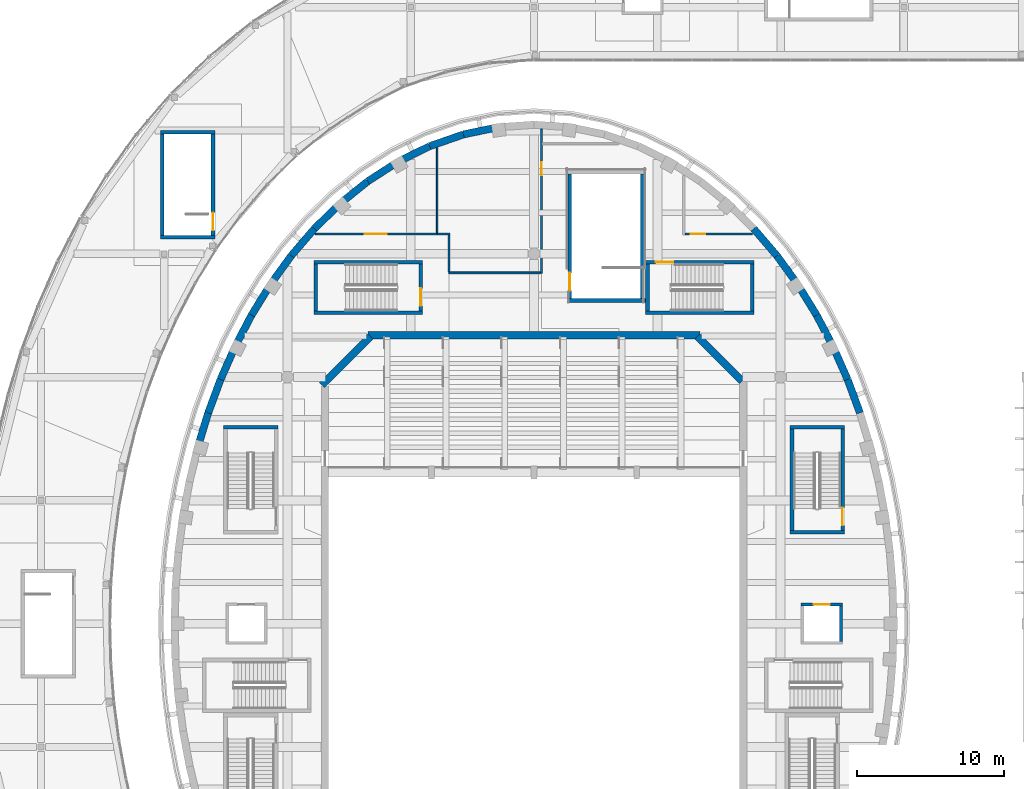
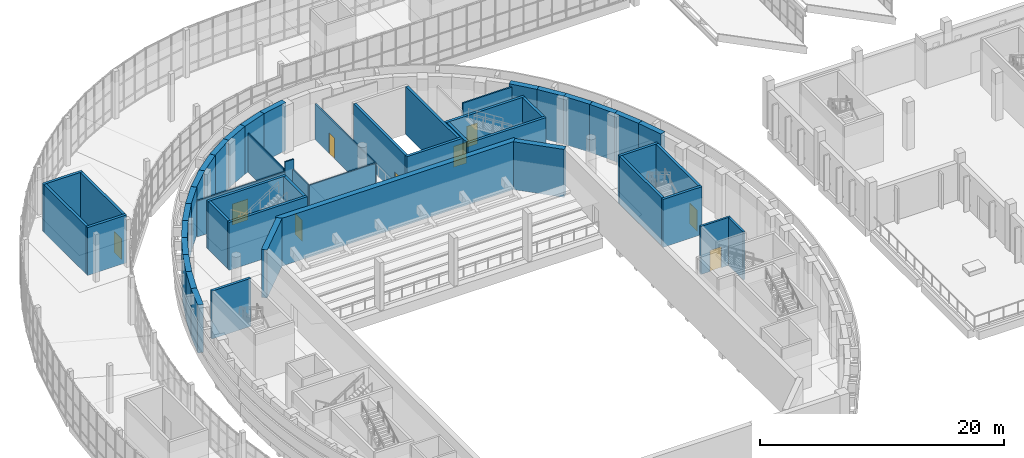
# One storey, part 60 of 103: 51 walls, 9 doors, 9 openings.
"""IFC4 building model written with IfcOpenShell, lengths in metres."""

from ifc_helpers import new_model, si_unit, direction, frame, frame_2d, origin, place, context, subcontext, project, spatial, rectangle, extrude, material, layer, layer_set, type_object, element, fill, save


model = new_model("IFC4")

# Units and contexts
model_context = context("Model", 3, precision=1e-05, world=origin(), true_north=direction((0.0, 1.0)))
body_context = subcontext(model_context, "Body", "Model", "MODEL_VIEW")
ifc_project = project(units=[si_unit("LENGTHUNIT", "METRE"), si_unit("AREAUNIT", "SQUARE_METRE"), si_unit("VOLUMEUNIT", "CUBIC_METRE"), si_unit("PLANEANGLEUNIT", "RADIAN"), si_unit("MASSUNIT", "GRAM", prefix="KILO")], contexts=[model_context])

# Site, building, storey
site_placement = place(None, origin())
site = spatial("IfcSite", under=ifc_project, at=site_placement, CompositionType="ELEMENT")
building_placement = place(site_placement, origin())
building = spatial("IfcBuilding", under=site, at=building_placement, Name="Larchfold Concert Hall", CompositionType="ELEMENT")
storey_placement = place(building_placement, frame((0.0, 0.0, 9.60009765625)))
storey = spatial("IfcBuildingStorey", under=building, at=storey_placement, Name="L02", CompositionType="ELEMENT", Elevation=9.60009765625)

# Wall, opening, door
ifc_material_1 = material(Name="Plasterboard partition on steel studs", Category="steel")
ifc_layer_1 = layer(ifc_material_1, 0.125)
ifc_layer_set_1 = layer_set([ifc_layer_1], Name="Plasterboard partition on steel studs")
wall_type_1 = type_object("IfcWallType", Name="Corridor partition 125 EI 60", PredefinedType="PARTITIONING", material=ifc_layer_set_1)
wall_1_placement = place(storey_placement, frame((43.10107421875, 108.47998046875, 0.0), z_axis=(0.0, 0.0, 1.0), x_axis=(0.0, 1.0, 0.0)))
wall_1 = element("IfcWall", 1, at=wall_1_placement, inside=storey, type_object=wall_type_1, Name="Partition IW0001", PredefinedType="PARTITIONING", context=body_context, shape_type="SweptSolid", body=[
    extrude(rectangle(XDim=9.830078125, YDim=0.125, at=frame_2d((4.9150390625, 0.0))), origin(), (0.0, 0.0, 1.0), 3.599853515625),
])
opening_1_placement = place(wall_1_placement, frame((6.66796875, 0.0, 0.0)))
opening_1 = element("IfcOpeningElement", 2, at=opening_1_placement, cuts=wall_1, Name="Opening D-L02-104", PredefinedType="OPENING", context=body_context, shape_type="SweptSolid", body=[
    extrude(rectangle(XDim=0.89990234375, YDim=2.10009765625, at=frame_2d((0.449951171875, 1.050048828125))), frame((0.0, 0.072509765625, 0.0), z_axis=(0.0, -1.0, 0.0), x_axis=(1.0, 0.0, 0.0)), (0.0, 0.0, 1.0), 0.14501953125),
])
ifc_material_2 = material(Name="Timber door leaf", Category="wood")
door_type_1 = type_object("IfcDoorType", Name="Public toilet door 900 x 2100 FD30S", OperationType="SINGLE_SWING_LEFT", PredefinedType="DOOR", material=ifc_material_2)
door_1_placement = place(opening_1_placement, origin())
door_1 = element("IfcDoor", 3, at=door_1_placement, inside=storey, type_object=door_type_1, Name="Door D-L02-104", OperationType="SINGLE_SWING_RIGHT", OverallHeight=2.10009765625, OverallWidth=0.89990234375, PredefinedType="DOOR", context=body_context, shape_type="SweptSolid", body=[
    extrude(rectangle(XDim=0.89990234375, YDim=2.10009765625, at=frame_2d((0.449951171875, 1.050048828125))), frame((0.0, 0.02490234375, 0.0), z_axis=(0.0, -1.0, 0.0), x_axis=(1.0, 0.0, 0.0)), (0.0, 0.0, 1.0), 0.050048828125),
])
fill(opening_1, door_1)

# Wall
wall_2_placement = place(storey_placement, frame((36.800048828125, 108.5, 0.0), z_axis=(0.0, 0.0, 1.0), x_axis=(1.0, 0.0, 0.0)))
element("IfcWall", 4, at=wall_2_placement, inside=storey, type_object=wall_type_1, Name="Partition IW0005", PredefinedType="PARTITIONING", context=body_context, shape_type="SweptSolid", body=[
    extrude(rectangle(XDim=6.23486328125, YDim=0.125, at=frame_2d((3.117431640625, 0.0))), origin(), (0.0, 0.0, 1.0), 3.599853515625),
])

# Wall, opening, door
wall_3_placement = place(storey_placement, frame((27.69091796875, 111.14892578125, 0.0), z_axis=(0.0, 0.0, 1.0), x_axis=(1.0, 0.0, 0.0)))
wall_3 = element("IfcWall", 5, at=wall_3_placement, inside=storey, type_object=wall_type_1, Name="Partition IW0006", PredefinedType="PARTITIONING", context=body_context, shape_type="SweptSolid", body=[
    extrude(rectangle(XDim=8.3291015625, YDim=0.125, at=frame_2d((4.16455078125, 0.0))), origin(), (0.0, 0.0, 1.0), 3.599853515625),
])
opening_2_placement = place(wall_3_placement, frame((3.369873046875, 0.0, 0.0)))
opening_2 = element("IfcOpeningElement", 6, at=opening_2_placement, cuts=wall_3, Name="Opening D-L02-103", PredefinedType="OPENING", context=body_context, shape_type="SweptSolid", body=[
    extrude(rectangle(XDim=1.5, YDim=2.10009765625, at=frame_2d((0.75, 1.050048828125))), frame((0.0, 0.072509765625, 0.0), z_axis=(0.0, -1.0, 0.0), x_axis=(1.0, 0.0, 0.0)), (0.0, 0.0, 1.0), 0.14501953125),
])
ifc_material_3 = material(Name="Timber door leaf", Category="wood")
door_type_2 = type_object("IfcDoorType", Name="Cafe, shop and cloakroom door pair 1500 x 2100 FD30S", OperationType="SINGLE_SWING_LEFT", PredefinedType="DOOR", material=ifc_material_3)
door_2_placement = place(opening_2_placement, origin())
door_2 = element("IfcDoor", 7, at=door_2_placement, inside=storey, type_object=door_type_2, Name="Door D-L02-103", OperationType="DOUBLE_DOOR_SINGLE_SWING", OverallHeight=2.10009765625, OverallWidth=1.5, PredefinedType="DOOR", context=body_context, shape_type="SweptSolid", body=[
    extrude(rectangle(XDim=1.5, YDim=2.10009765625, at=frame_2d((0.75, 1.050048828125))), frame((0.0, 0.02490234375, 0.0), z_axis=(0.0, -1.0, 0.0), x_axis=(1.0, 0.0, 0.0)), (0.0, 0.0, 1.0), 0.050048828125),
])
fill(opening_2, door_2)

# Walls
wall_4_placement = place(storey_placement, frame((36.02099609375, 111.14892578125, 0.0), z_axis=(0.0, 0.0, 1.0), x_axis=(1.0, 0.0, 0.0)))
element("IfcWall", 8, at=wall_4_placement, inside=storey, type_object=wall_type_1, Name="Partition IW0007", PredefinedType="PARTITIONING", context=body_context, shape_type="SweptSolid", body=[
    extrude(rectangle(XDim=0.840576171875, YDim=0.125, at=frame_2d((0.42041015625, 0.0))), origin(), (0.0, 0.0, 1.0), 4.599853515625),
])
wall_5_placement = place(storey_placement, frame((36.799072265625, 111.08642578125, 0.0), z_axis=(0.0, 0.0, 1.0), x_axis=(0.0, -1.0, 0.0)))
element("IfcWall", 9, at=wall_5_placement, inside=storey, type_object=wall_type_1, Name="Partition IW0008", PredefinedType="PARTITIONING", context=body_context, shape_type="SweptSolid", body=[
    extrude(rectangle(XDim=2.521484375, YDim=0.125, at=frame_2d((1.2607421875, 0.0))), origin(), (0.0, 0.0, 1.0), 3.599853515625),
])

# Wall, opening, door
ifc_material_4 = material(Name="Plasterboard partition on steel studs", Category="steel")
ifc_layer_2 = layer(ifc_material_4, 0.14990234375)
ifc_layer_set_2 = layer_set([ifc_layer_2], Name="Plasterboard partition on steel studs")
wall_type_2 = type_object("IfcWallType", Name="Shaft and plant partition 150 EI 120", PredefinedType="PARTITIONING", material=ifc_layer_set_2)
wall_6_placement = place(storey_placement, frame((52.87890625, 111.15087890625, 0.0), z_axis=(0.0, 0.0, 1.0), x_axis=(0.999999910644, -0.000422743568, 0.0)))
wall_6 = element("IfcWall", 10, at=wall_6_placement, inside=storey, type_object=wall_type_2, Name="Partition IW0004", PredefinedType="PARTITIONING", context=body_context, shape_type="SweptSolid", body=[
    extrude(rectangle(XDim=4.6201171875, YDim=0.14990234375, at=frame_2d((2.31005859375, 0.0))), origin(), (0.0, 0.0, 1.0), 4.599853515625),
])
opening_3_placement = place(wall_6_placement, frame((0.396728515625, 0.0, 0.0)))
opening_3 = element("IfcOpeningElement", 11, at=opening_3_placement, cuts=wall_6, Name="Opening D-L02-105", PredefinedType="OPENING", context=body_context, shape_type="SweptSolid", body=[
    extrude(rectangle(XDim=1.0, YDim=2.10009765625, at=frame_2d((0.5, 1.050048828125))), frame((0.0, 0.0849609375, 0.0), z_axis=(0.0, -1.0, 0.0), x_axis=(1.0, 0.0, 0.0)), (0.0, 0.0, 1.0), 0.169921875),
])
ifc_material_5 = material(Name="Timber door leaf", Category="wood")
door_type_3 = type_object("IfcDoorType", Name="Store door 1000 x 2100 FD60", OperationType="SINGLE_SWING_LEFT", PredefinedType="DOOR", material=ifc_material_5)
door_3_placement = place(opening_3_placement, origin())
door_3 = element("IfcDoor", 12, at=door_3_placement, inside=storey, type_object=door_type_3, Name="Door D-L02-105", OperationType="SINGLE_SWING_LEFT", OverallHeight=2.10009765625, OverallWidth=1.0, PredefinedType="DOOR", context=body_context, shape_type="SweptSolid", body=[
    extrude(rectangle(XDim=1.0, YDim=2.10009765625, at=frame_2d((0.5, 1.050048828125))), frame((0.0, 0.02490234375, 0.0), z_axis=(0.0, -1.0, 0.0), x_axis=(1.0, 0.0, 0.0)), (0.0, 0.0, 1.0), 0.050048828125),
])
fill(opening_3, door_3)

# Wall
ifc_material_6 = material(Name="Plasterboard partition on steel studs", Category="steel")
ifc_layer_3 = layer(ifc_material_6, 0.10009765625)
ifc_layer_set_3 = layer_set([ifc_layer_3], Name="Plasterboard partition on steel studs")
wall_type_3 = type_object("IfcWallType", Name="Stud partition 100", PredefinedType="PARTITIONING", material=ifc_layer_set_3)
wall_7_placement = place(storey_placement, frame((36.0, 117.0400390625, 0.0), z_axis=(0.0, 0.0, 1.0), x_axis=(0.0, -1.0, 0.0)))
element("IfcWall", 13, at=wall_7_placement, inside=storey, type_object=wall_type_3, Name="Partition IW0009", PredefinedType="PARTITIONING", context=body_context, shape_type="SweptSolid", body=[
    extrude(rectangle(XDim=5.824951171875, YDim=0.10009765625, at=frame_2d((2.91259765625, 0.0))), origin(), (0.0, 0.0, 1.0), 3.89990234375),
])

# Wall, opening, door
ifc_material_7 = material(Name="Concrete C40/50", Category="concrete")
ifc_layer_4 = layer(ifc_material_7, 0.199951171875)
ifc_layer_set_4 = layer_set([ifc_layer_4], Name="Concrete C40/50")
wall_type_4 = type_object("IfcWallType", Name="Wall RC 200 lift shaft", PredefinedType="SOLIDWALL", material=ifc_layer_set_4)
wall_8_placement = place(storey_placement, frame((60.800048828125, 85.89990234375, 0.0), z_axis=(0.0, 0.0, 1.0), x_axis=(1.0, 0.0, 0.0)))
wall_8 = element("IfcWall", 14, at=wall_8_placement, inside=storey, type_object=wall_type_4, Name="Wall W0140", PredefinedType="SOLIDWALL", context=body_context, shape_type="SweptSolid", body=[
    extrude(rectangle(XDim=2.800048828125, YDim=0.199951171875, at=frame_2d((1.39990234375, 0.0))), origin(), (0.0, 0.0, 1.0), 4.7998046875),
])
opening_4_placement = place(wall_8_placement, frame((0.85009765625, 0.0, 0.0)))
opening_4 = element("IfcOpeningElement", 15, at=opening_4_placement, cuts=wall_8, Name="Opening LD-LF03", PredefinedType="OPENING", context=body_context, shape_type="SweptSolid", body=[
    extrude(rectangle(XDim=1.10009765625, YDim=2.10009765625, at=frame_2d((0.550048828125, 1.050048828125))), frame((0.0, 0.10986328125, 0.0), z_axis=(0.0, -1.0, 0.0), x_axis=(1.0, 0.0, 0.0)), (0.0, 0.0, 1.0), 0.219970703125),
])
ifc_material_8 = material(Name="Stainless steel sliding leaves", Category="steel")
door_type_4 = type_object("IfcDoorType", Name="Lift landing door sliding 1100 x 2100", OperationType="SLIDING_TO_LEFT", PredefinedType="DOOR", material=ifc_material_8)
door_4_placement = place(opening_4_placement, origin())
door_4 = element("IfcDoor", 16, at=door_4_placement, inside=storey, type_object=door_type_4, Name="Lift landing door LF03", OperationType="SLIDING_TO_LEFT", OverallHeight=2.10009765625, OverallWidth=1.10009765625, PredefinedType="DOOR", context=body_context, shape_type="SweptSolid", body=[
    extrude(rectangle(XDim=1.10009765625, YDim=2.10009765625, at=frame_2d((0.550048828125, 1.050048828125))), frame((0.0, 0.02490234375, 0.0), z_axis=(0.0, -1.0, 0.0), x_axis=(1.0, 0.0, 0.0)), (0.0, 0.0, 1.0), 0.050048828125),
])
fill(opening_4, door_4)

# Walls
wall_9_placement = place(storey_placement, frame((63.5, 83.39990234375, 0.0), z_axis=(0.0, 0.0, 1.0), x_axis=(0.0, 1.0, 0.0)))
element("IfcWall", 17, at=wall_9_placement, inside=storey, type_object=wall_type_4, Name="Wall W0142", PredefinedType="SOLIDWALL", context=body_context, shape_type="SweptSolid", body=[
    extrude(rectangle(XDim=2.400146484375, YDim=0.199951171875, at=frame_2d((1.2001953125, 0.0))), origin(), (0.0, 0.0, 1.0), 4.7998046875),
])
ifc_material_9 = material(Name="Concrete C40/50", Category="concrete")
ifc_layer_5 = layer(ifc_material_9, 0.25)
ifc_layer_set_5 = layer_set([ifc_layer_5], Name="Concrete C40/50")
wall_type_5 = type_object("IfcWallType", Name="Wall RC 250 stair core", PredefinedType="SOLIDWALL", material=ifc_layer_set_5)
for number, where, z_axis, x_axis, name in (
    (18, (60.050048828125, 90.824951171875, 0.0), (0.0, 0.0, 1.0), (1.0, 0.0, 0.0), "Wall W0031"),
    (19, (60.050048828125, 97.97509765625, 0.0), (0.0, 0.0, 1.0), (1.0, 0.0, 0.0), "Wall W0032"),
):
    element("IfcWall", number, at=place(storey_placement, frame(where, z_axis=z_axis, x_axis=x_axis)), inside=storey, type_object=wall_type_5, Name=name, PredefinedType="SOLIDWALL", context=body_context, shape_type="SweptSolid", body=[
        extrude(rectangle(XDim=3.699951171875, YDim=0.25, at=frame_2d((1.85009765625, 0.0))), origin(), (0.0, 0.0, 1.0), 4.7998046875),
    ])
wall_10_placement = place(storey_placement, frame((60.175048828125, 90.949951171875, 0.0), z_axis=(0.0, 0.0, 1.0), x_axis=(0.0, 1.0, 0.0)))
element("IfcWall", 20, at=wall_10_placement, inside=storey, type_object=wall_type_5, Name="Wall W0033", PredefinedType="SOLIDWALL", context=body_context, shape_type="SweptSolid", body=[
    extrude(rectangle(XDim=6.900146484375, YDim=0.25, at=frame_2d((3.4501953125, 0.0))), origin(), (0.0, 0.0, 1.0), 4.7998046875),
])

# Wall, opening, door
wall_11_placement = place(storey_placement, frame((63.625, 90.949951171875, 0.0), z_axis=(0.0, 0.0, 1.0), x_axis=(0.0, 1.0, 0.0)))
wall_11 = element("IfcWall", 21, at=wall_11_placement, inside=storey, type_object=wall_type_5, Name="Wall W0034", PredefinedType="SOLIDWALL", context=body_context, shape_type="SweptSolid", body=[
    extrude(rectangle(XDim=6.900146484375, YDim=0.25, at=frame_2d((3.4501953125, 0.0))), origin(), (0.0, 0.0, 1.0), 4.7998046875),
])
opening_5_placement = place(wall_11_placement, frame((0.35009765625, 0.0, 0.0)))
opening_5 = element("IfcOpeningElement", 22, at=opening_5_placement, cuts=wall_11, Name="Opening D-L02-141", PredefinedType="OPENING", context=body_context, shape_type="SweptSolid", body=[
    extrude(rectangle(XDim=1.199951171875, YDim=2.10009765625, at=frame_2d((0.60009765625, 1.050048828125))), frame((0.0, 0.135009765625, 0.0), z_axis=(0.0, -1.0, 0.0), x_axis=(1.0, 0.0, 0.0)), (0.0, 0.0, 1.0), 0.27001953125),
])
ifc_material_10 = material(Name="Timber door leaf", Category="wood")
door_type_5 = type_object("IfcDoorType", Name="Stair enclosure door pair 1200 x 2100 FD60", OperationType="SINGLE_SWING_LEFT", PredefinedType="DOOR", material=ifc_material_10)
door_5_placement = place(opening_5_placement, origin())
door_5 = element("IfcDoor", 23, at=door_5_placement, inside=storey, type_object=door_type_5, Name="Door D-L02-141", OperationType="DOUBLE_DOOR_SINGLE_SWING", OverallHeight=2.10009765625, OverallWidth=1.199951171875, PredefinedType="DOOR", context=body_context, shape_type="SweptSolid", body=[
    extrude(rectangle(XDim=1.199951171875, YDim=2.10009765625, at=frame_2d((0.60009765625, 1.050048828125))), frame((0.0, 0.02490234375, 0.0), z_axis=(0.0, -1.0, 0.0), x_axis=(1.0, 0.0, 0.0)), (0.0, 0.0, 1.0), 0.050048828125),
])
fill(opening_5, door_5)

# Wall
wall_12_placement = place(storey_placement, frame((50.199951171875, 105.77490234375, 0.0), z_axis=(0.0, 0.0, 1.0), x_axis=(1.0, 0.0, 0.0)))
element("IfcWall", 24, at=wall_12_placement, inside=storey, type_object=wall_type_5, Name="Wall W0035", PredefinedType="SOLIDWALL", context=body_context, shape_type="SweptSolid", body=[
    extrude(rectangle(XDim=7.400146484375, YDim=0.25, at=frame_2d((3.7001953125, 0.0))), origin(), (0.0, 0.0, 1.0), 4.7998046875),
])

# Wall, opening, door
wall_13_placement = place(storey_placement, frame((50.10009765625, 109.22509765625, 0.0), z_axis=(0.0, 0.0, 1.0), x_axis=(1.0, 0.0, 0.0)))
wall_13 = element("IfcWall", 25, at=wall_13_placement, inside=storey, type_object=wall_type_5, Name="Wall W0036", PredefinedType="SOLIDWALL", context=body_context, shape_type="SweptSolid", body=[
    extrude(rectangle(XDim=7.5, YDim=0.25, at=frame_2d((3.75, 0.0))), origin(), (0.0, 0.0, 1.0), 4.7998046875),
])
opening_6_placement = place(wall_13_placement, frame((0.80029296875, 0.0, 0.0)))
opening_6 = element("IfcOpeningElement", 26, at=opening_6_placement, cuts=wall_13, Name="Opening D-L02-143", PredefinedType="OPENING", context=body_context, shape_type="SweptSolid", body=[
    extrude(rectangle(XDim=1.199951171875, YDim=2.10009765625, at=frame_2d((0.60009765625, 1.050048828125))), frame((0.0, 0.135009765625, 0.0), z_axis=(0.0, -1.0, 0.0), x_axis=(1.0, 0.0, 0.0)), (0.0, 0.0, 1.0), 0.27001953125),
])
door_6_placement = place(opening_6_placement, origin())
door_6 = element("IfcDoor", 27, at=door_6_placement, inside=storey, type_object=door_type_5, Name="Door D-L02-143", OperationType="DOUBLE_DOOR_SINGLE_SWING", OverallHeight=2.10009765625, OverallWidth=1.199951171875, PredefinedType="DOOR", context=body_context, shape_type="SweptSolid", body=[
    extrude(rectangle(XDim=1.199951171875, YDim=2.10009765625, at=frame_2d((0.60009765625, 1.050048828125))), frame((0.0, 0.02490234375, 0.0), z_axis=(0.0, -1.0, 0.0), x_axis=(1.0, 0.0, 0.0)), (0.0, 0.0, 1.0), 0.050048828125),
])
fill(opening_6, door_6)

# Walls
for number, where, z_axis, x_axis, name in (
    (28, (50.324951171875, 105.89990234375, 0.0), (0.0, 0.0, 1.0), (0.0, 1.0, 0.0), "Wall W0037"),
    (29, (57.47509765625, 105.89990234375, 0.0), (0.0, 0.0, 1.0), (0.0, 1.0, 0.0), "Wall W0038"),
):
    element("IfcWall", number, at=place(storey_placement, frame(where, z_axis=z_axis, x_axis=x_axis)), inside=storey, type_object=wall_type_5, Name=name, PredefinedType="SOLIDWALL", context=body_context, shape_type="SweptSolid", body=[
        extrude(rectangle(XDim=3.2001953125, YDim=0.25, at=frame_2d((1.60009765625, 0.0))), origin(), (0.0, 0.0, 1.0), 4.7998046875),
    ])
for number, where, z_axis, x_axis, name in (
    (30, (27.60009765625, 105.77490234375, 0.0), (0.0, 0.0, 1.0), (1.0, 0.0, 0.0), "Wall W0039"),
    (31, (27.60009765625, 109.22509765625, 0.0), (0.0, 0.0, 1.0), (1.0, 0.0, 0.0), "Wall W0040"),
):
    element("IfcWall", number, at=place(storey_placement, frame(where, z_axis=z_axis, x_axis=x_axis)), inside=storey, type_object=wall_type_5, Name=name, PredefinedType="SOLIDWALL", context=body_context, shape_type="SweptSolid", body=[
        extrude(rectangle(XDim=7.39990234375, YDim=0.25, at=frame_2d((3.699951171875, 0.0))), origin(), (0.0, 0.0, 1.0), 4.7998046875),
    ])
wall_14_placement = place(storey_placement, frame((27.72509765625, 105.89990234375, 0.0), z_axis=(0.0, 0.0, 1.0), x_axis=(0.0, 1.0, 0.0)))
element("IfcWall", 32, at=wall_14_placement, inside=storey, type_object=wall_type_5, Name="Wall W0041", PredefinedType="SOLIDWALL", context=body_context, shape_type="SweptSolid", body=[
    extrude(rectangle(XDim=3.2001953125, YDim=0.25, at=frame_2d((1.60009765625, 0.0))), origin(), (0.0, 0.0, 1.0), 4.7998046875),
])

# Wall, opening, door
wall_15_placement = place(storey_placement, frame((34.875, 105.89990234375, 0.0), z_axis=(0.0, 0.0, 1.0), x_axis=(0.0, 1.0, 0.0)))
wall_15 = element("IfcWall", 33, at=wall_15_placement, inside=storey, type_object=wall_type_5, Name="Wall W0042", PredefinedType="SOLIDWALL", context=body_context, shape_type="SweptSolid", body=[
    extrude(rectangle(XDim=3.2001953125, YDim=0.25, at=frame_2d((1.60009765625, 0.0))), origin(), (0.0, 0.0, 1.0), 4.7998046875),
])
opening_7_placement = place(wall_15_placement, frame((0.35009765625, 0.0, 0.0)))
opening_7 = element("IfcOpeningElement", 34, at=opening_7_placement, cuts=wall_15, Name="Opening D-L02-142", PredefinedType="OPENING", context=body_context, shape_type="SweptSolid", body=[
    extrude(rectangle(XDim=1.199951171875, YDim=2.10009765625, at=frame_2d((0.60009765625, 1.050048828125))), frame((0.0, 0.135009765625, 0.0), z_axis=(0.0, -1.0, 0.0), x_axis=(1.0, 0.0, 0.0)), (0.0, 0.0, 1.0), 0.27001953125),
])
door_7_placement = place(opening_7_placement, origin())
door_7 = element("IfcDoor", 35, at=door_7_placement, inside=storey, type_object=door_type_5, Name="Door D-L02-142", OperationType="DOUBLE_DOOR_SINGLE_SWING", OverallHeight=2.10009765625, OverallWidth=1.199951171875, PredefinedType="DOOR", context=body_context, shape_type="SweptSolid", body=[
    extrude(rectangle(XDim=1.199951171875, YDim=2.10009765625, at=frame_2d((0.60009765625, 1.050048828125))), frame((0.0, 0.02490234375, 0.0), z_axis=(0.0, -1.0, 0.0), x_axis=(1.0, 0.0, 0.0)), (0.0, 0.0, 1.0), 0.050048828125),
])
fill(opening_7, door_7)

# Walls
wall_16_placement = place(storey_placement, frame((21.449951171875, 97.97509765625, 0.0), z_axis=(0.0, 0.0, 1.0), x_axis=(1.0, 0.0, 0.0)))
element("IfcWall", 36, at=wall_16_placement, inside=storey, type_object=wall_type_5, Name="Wall W0044", PredefinedType="SOLIDWALL", context=body_context, shape_type="SweptSolid", body=[
    extrude(rectangle(XDim=3.699951171875, YDim=0.25, at=frame_2d((1.85009765625, 0.0))), origin(), (0.0, 0.0, 1.0), 4.7998046875),
])
for number, where, z_axis, x_axis, name in (
    (37, (17.14990234375, 110.925048828125, 0.0), (0.0, 0.0, 1.0), (1.0, 0.0, 0.0), "Wall W0119"),
    (38, (17.14990234375, 118.074951171875, 0.0), (0.0, 0.0, 1.0), (1.0, 0.0, 0.0), "Wall W0120"),
):
    element("IfcWall", number, at=place(storey_placement, frame(where, z_axis=z_axis, x_axis=x_axis)), inside=storey, type_object=wall_type_5, Name=name, PredefinedType="SOLIDWALL", context=body_context, shape_type="SweptSolid", body=[
        extrude(rectangle(XDim=3.7001953125, YDim=0.25, at=frame_2d((1.85009765625, 0.0))), origin(), (0.0, 0.0, 1.0), 4.7998046875),
    ])
wall_17_placement = place(storey_placement, frame((17.27490234375, 111.050048828125, 0.0), z_axis=(0.0, 0.0, 1.0), x_axis=(0.0, 1.0, 0.0)))
element("IfcWall", 39, at=wall_17_placement, inside=storey, type_object=wall_type_5, Name="Wall W0121", PredefinedType="SOLIDWALL", context=body_context, shape_type="SweptSolid", body=[
    extrude(rectangle(XDim=6.89990234375, YDim=0.25, at=frame_2d((3.449951171875, 0.0))), origin(), (0.0, 0.0, 1.0), 4.7998046875),
])

# Wall, opening, door
wall_18_placement = place(storey_placement, frame((20.72509765625, 111.050048828125, 0.0), z_axis=(0.0, 0.0, 1.0), x_axis=(0.0, 1.0, 0.0)))
wall_18 = element("IfcWall", 40, at=wall_18_placement, inside=storey, type_object=wall_type_5, Name="Wall W0122", PredefinedType="SOLIDWALL", context=body_context, shape_type="SweptSolid", body=[
    extrude(rectangle(XDim=6.89990234375, YDim=0.25, at=frame_2d((3.449951171875, 0.0))), origin(), (0.0, 0.0, 1.0), 4.7998046875),
])
opening_8_placement = place(wall_18_placement, frame((0.35009765625, 0.0, 0.0)))
opening_8 = element("IfcOpeningElement", 41, at=opening_8_placement, cuts=wall_18, Name="Opening D-L02-159", PredefinedType="OPENING", context=body_context, shape_type="SweptSolid", body=[
    extrude(rectangle(XDim=1.199951171875, YDim=2.10009765625, at=frame_2d((0.60009765625, 1.050048828125))), frame((0.0, 0.135009765625, 0.0), z_axis=(0.0, -1.0, 0.0), x_axis=(1.0, 0.0, 0.0)), (0.0, 0.0, 1.0), 0.27001953125),
])
door_8_placement = place(opening_8_placement, origin())
door_8 = element("IfcDoor", 42, at=door_8_placement, inside=storey, type_object=door_type_5, Name="Door D-L02-159", OperationType="DOUBLE_DOOR_SINGLE_SWING", OverallHeight=2.10009765625, OverallWidth=1.199951171875, PredefinedType="DOOR", context=body_context, shape_type="SweptSolid", body=[
    extrude(rectangle(XDim=1.199951171875, YDim=2.10009765625, at=frame_2d((0.60009765625, 1.050048828125))), frame((0.0, 0.02490234375, 0.0), z_axis=(0.0, -1.0, 0.0), x_axis=(1.0, 0.0, 0.0)), (0.0, 0.0, 1.0), 0.050048828125),
])
fill(opening_8, door_8)

# Wall
wall_19_placement = place(storey_placement, frame((44.89990234375, 106.625, 0.0), z_axis=(0.0, 0.0, 1.0), x_axis=(1.0, 0.0, 0.0)))
element("IfcWall", 43, at=wall_19_placement, inside=storey, type_object=wall_type_5, Name="Wall W0127", PredefinedType="SOLIDWALL", context=body_context, shape_type="SweptSolid", body=[
    extrude(rectangle(XDim=5.300048828125, YDim=0.25, at=frame_2d((2.64990234375, 0.0))), origin(), (0.0, 0.0, 1.0), 4.7998046875),
])

# Wall, opening, door
wall_20_placement = place(storey_placement, frame((45.02490234375, 106.75, 0.0), z_axis=(0.0, 0.0, 1.0), x_axis=(0.0, 1.0, 0.0)))
wall_20 = element("IfcWall", 44, at=wall_20_placement, inside=storey, type_object=wall_type_5, Name="Wall W0129", PredefinedType="SOLIDWALL", context=body_context, shape_type="SweptSolid", body=[
    extrude(rectangle(XDim=8.5, YDim=0.25, at=frame_2d((4.25, 0.0))), origin(), (0.0, 0.0, 1.0), 4.7998046875),
])
opening_9_placement = place(wall_20_placement, frame((0.55029296875, 0.0, 0.0)))
opening_9 = element("IfcOpeningElement", 45, at=opening_9_placement, cuts=wall_20, Name="Opening D-L02-144", PredefinedType="OPENING", context=body_context, shape_type="SweptSolid", body=[
    extrude(rectangle(XDim=1.199951171875, YDim=2.10009765625, at=frame_2d((0.60009765625, 1.050048828125))), frame((0.0, 0.135009765625, 0.0), z_axis=(0.0, -1.0, 0.0), x_axis=(1.0, 0.0, 0.0)), (0.0, 0.0, 1.0), 0.27001953125),
])
door_9_placement = place(opening_9_placement, origin())
door_9 = element("IfcDoor", 46, at=door_9_placement, inside=storey, type_object=door_type_5, Name="Door D-L02-144", OperationType="DOUBLE_DOOR_SINGLE_SWING", OverallHeight=2.10009765625, OverallWidth=1.199951171875, PredefinedType="DOOR", context=body_context, shape_type="SweptSolid", body=[
    extrude(rectangle(XDim=1.199951171875, YDim=2.10009765625, at=frame_2d((0.60009765625, 1.050048828125))), frame((0.0, 0.02490234375, 0.0), z_axis=(0.0, -1.0, 0.0), x_axis=(1.0, 0.0, 0.0)), (0.0, 0.0, 1.0), 0.050048828125),
])
fill(opening_9, door_9)

# Walls
wall_21_placement = place(storey_placement, frame((49.97509765625, 106.75, 0.0), z_axis=(0.0, 0.0, 1.0), x_axis=(0.0, 1.0, 0.0)))
element("IfcWall", 47, at=wall_21_placement, inside=storey, type_object=wall_type_5, Name="Wall W0130", PredefinedType="SOLIDWALL", context=body_context, shape_type="SweptSolid", body=[
    extrude(rectangle(XDim=8.5, YDim=0.25, at=frame_2d((4.25, 0.0))), origin(), (0.0, 0.0, 1.0), 4.7998046875),
])
ifc_material_11 = material(Name="Concrete C30/37", Category="concrete")
ifc_layer_6 = layer(ifc_material_11, 0.5)
ifc_layer_set_6 = layer_set([ifc_layer_6], Name="Concrete C30/37")
wall_type_6 = type_object("IfcWallType", Name="Wall RC 500 drum facade", PredefinedType="SOLIDWALL", material=ifc_layer_set_6)
wall_22_placement = place(storey_placement, frame((64.8076171875, 98.960205078125, 0.0), z_axis=(0.0, 0.0, 1.0), x_axis=(-0.346579149604, 0.938020731679, 0.0)))
element("IfcWall", 48, at=wall_22_placement, inside=storey, type_object=wall_type_6, Name="Wall DW007", PredefinedType="SOLIDWALL", context=body_context, shape_type="SweptSolid", body=[
    extrude(rectangle(XDim=2.433837890625, YDim=0.5, at=frame_2d((1.216796875, 0.0))), origin(), (0.0, 0.0, 1.0), 4.7998046875),
])
wall_23_placement = place(storey_placement, frame((63.964111328125, 101.2431640625, 0.0), z_axis=(0.0, 0.0, 1.0), x_axis=(-0.404089673612, 0.914719375371, 0.0)))
element("IfcWall", 49, at=wall_23_placement, inside=storey, type_object=wall_type_6, Name="Wall DW008", PredefinedType="SOLIDWALL", context=body_context, shape_type="SweptSolid", body=[
    extrude(rectangle(XDim=2.43359375, YDim=0.5, at=frame_2d((1.216796875, 0.0))), origin(), (0.0, 0.0, 1.0), 4.7998046875),
])
wall_24_placement = place(storey_placement, frame((62.980712890625, 103.46923828125, 0.0), z_axis=(0.0, 0.0, 1.0), x_axis=(-0.463152141842, 0.886278789945, 0.0)))
element("IfcWall", 50, at=wall_24_placement, inside=storey, type_object=wall_type_6, Name="Wall DW009", PredefinedType="SOLIDWALL", context=body_context, shape_type="SweptSolid", body=[
    extrude(rectangle(XDim=2.433837890625, YDim=0.5, at=frame_2d((1.216796875, 0.0))), origin(), (0.0, 0.0, 1.0), 4.7998046875),
])
wall_25_placement = place(storey_placement, frame((61.853515625, 105.626220703125, 0.0), z_axis=(0.0, 0.0, 1.0), x_axis=(-0.524097425664, 0.851658316705, 0.0)))
element("IfcWall", 51, at=wall_25_placement, inside=storey, type_object=wall_type_6, Name="Wall DW010", PredefinedType="SOLIDWALL", context=body_context, shape_type="SweptSolid", body=[
    extrude(rectangle(XDim=2.43359375, YDim=0.5, at=frame_2d((1.216796875, 0.0))), origin(), (0.0, 0.0, 1.0), 4.7998046875),
])
wall_26_placement = place(storey_placement, frame((60.578125, 107.69873046875, 0.0), z_axis=(0.0, 0.0, 1.0), x_axis=(-0.586643688245, 0.809845159918, 0.0)))
element("IfcWall", 52, at=wall_26_placement, inside=storey, type_object=wall_type_6, Name="Wall DW011", PredefinedType="SOLIDWALL", context=body_context, shape_type="SweptSolid", body=[
    extrude(rectangle(XDim=2.433837890625, YDim=0.5, at=frame_2d((1.216796875, 0.0))), origin(), (0.0, 0.0, 1.0), 4.7998046875),
])
wall_27_placement = place(storey_placement, frame((59.150390625, 109.669677734375, 0.0), z_axis=(0.0, 0.0, 1.0), x_axis=(-0.650526940133, 0.759483179643, 0.0)))
element("IfcWall", 53, at=wall_27_placement, inside=storey, type_object=wall_type_6, Name="Wall DW012", PredefinedType="SOLIDWALL", context=body_context, shape_type="SweptSolid", body=[
    extrude(rectangle(XDim=2.433349609375, YDim=0.5, at=frame_2d((1.216796875, 0.0))), origin(), (0.0, 0.0, 1.0), 4.7998046875),
])
wall_28_placement = place(storey_placement, frame((40.173583984375, 118.432861328125, 0.0), z_axis=(0.0, 0.0, 1.0), x_axis=(-0.979166233049, -0.203060306454, 0.0)))
element("IfcWall", 54, at=wall_28_placement, inside=storey, type_object=wall_type_6, Name="Wall DW021", PredefinedType="SOLIDWALL", context=body_context, shape_type="SweptSolid", body=[
    extrude(rectangle(XDim=2.432373046875, YDim=0.5, at=frame_2d((1.21630859375, 0.0))), origin(), (0.0, 0.0, 1.0), 4.7998046875),
])
for number, where, z_axis, x_axis, name in (
    (55, (37.7919921875, 117.93896484375, 0.0), (0.0, 0.0, 1.0), (-0.944373524566, -0.328874818279, 0.0), "Wall DW022"),
    (56, (35.49462890625, 117.138916015625, 0.0), (0.0, 0.0, 1.0), (-0.896822873966, -0.442389797274, 0.0), "Wall DW023"),
):
    element("IfcWall", number, at=place(storey_placement, frame(where, z_axis=z_axis, x_axis=x_axis)), inside=storey, type_object=wall_type_6, Name=name, PredefinedType="SOLIDWALL", context=body_context, shape_type="SweptSolid", body=[
        extrude(rectangle(XDim=2.4326171875, YDim=0.5, at=frame_2d((1.21630859375, 0.0))), origin(), (0.0, 0.0, 1.0), 4.7998046875),
    ])
wall_29_placement = place(storey_placement, frame((33.31298828125, 116.062744140625, 0.0), z_axis=(0.0, 0.0, 1.0), x_axis=(-0.840519246372, -0.541781687101, 0.0)))
element("IfcWall", 57, at=wall_29_placement, inside=storey, type_object=wall_type_6, Name="Wall DW024", PredefinedType="SOLIDWALL", context=body_context, shape_type="SweptSolid", body=[
    extrude(rectangle(XDim=2.432861328125, YDim=0.5, at=frame_2d((1.21630859375, 0.0))), origin(), (0.0, 0.0, 1.0), 4.7998046875),
])
wall_30_placement = place(storey_placement, frame((31.26806640625, 114.74462890625, 0.0), z_axis=(0.0, 0.0, 1.0), x_axis=(-0.779015271296, -0.627004949811, 0.0)))
element("IfcWall", 58, at=wall_30_placement, inside=storey, type_object=wall_type_6, Name="Wall DW025", PredefinedType="SOLIDWALL", context=body_context, shape_type="SweptSolid", body=[
    extrude(rectangle(XDim=2.43310546875, YDim=0.5, at=frame_2d((1.216552734375, 0.0))), origin(), (0.0, 0.0, 1.0), 4.7998046875),
])
for number, where, z_axis, x_axis, name in (
    (59, (29.37255859375, 113.218994140625, 0.0), (0.0, 0.0, 1.0), (-0.71498883591, -0.69913586986, 0.0), "Wall DW026"),
    (60, (27.6328125, 111.517822265625, 0.0), (0.0, 0.0, 1.0), (-0.650526940133, -0.759483179643, 0.0), "Wall DW027"),
):
    element("IfcWall", number, at=place(storey_placement, frame(where, z_axis=z_axis, x_axis=x_axis)), inside=storey, type_object=wall_type_6, Name=name, PredefinedType="SOLIDWALL", context=body_context, shape_type="SweptSolid", body=[
        extrude(rectangle(XDim=2.433349609375, YDim=0.5, at=frame_2d((1.216796875, 0.0))), origin(), (0.0, 0.0, 1.0), 4.7998046875),
    ])
wall_31_placement = place(storey_placement, frame((26.0498046875, 109.669677734375, 0.0), z_axis=(0.0, 0.0, 1.0), x_axis=(-0.586643688245, -0.809845159918, 0.0)))
element("IfcWall", 61, at=wall_31_placement, inside=storey, type_object=wall_type_6, Name="Wall DW028", PredefinedType="SOLIDWALL", context=body_context, shape_type="SweptSolid", body=[
    extrude(rectangle(XDim=2.433837890625, YDim=0.5, at=frame_2d((1.216796875, 0.0))), origin(), (0.0, 0.0, 1.0), 4.7998046875),
])
wall_32_placement = place(storey_placement, frame((24.6220703125, 107.69873046875, 0.0), z_axis=(0.0, 0.0, 1.0), x_axis=(-0.524097425664, -0.851658316705, 0.0)))
element("IfcWall", 62, at=wall_32_placement, inside=storey, type_object=wall_type_6, Name="Wall DW029", PredefinedType="SOLIDWALL", context=body_context, shape_type="SweptSolid", body=[
    extrude(rectangle(XDim=2.43359375, YDim=0.5, at=frame_2d((1.216796875, 0.0))), origin(), (0.0, 0.0, 1.0), 4.7998046875),
])
wall_33_placement = place(storey_placement, frame((23.3466796875, 105.626220703125, 0.0), z_axis=(0.0, 0.0, 1.0), x_axis=(-0.463152141842, -0.886278789945, 0.0)))
element("IfcWall", 63, at=wall_33_placement, inside=storey, type_object=wall_type_6, Name="Wall DW030", PredefinedType="SOLIDWALL", context=body_context, shape_type="SweptSolid", body=[
    extrude(rectangle(XDim=2.433837890625, YDim=0.5, at=frame_2d((1.216796875, 0.0))), origin(), (0.0, 0.0, 1.0), 4.7998046875),
])
wall_34_placement = place(storey_placement, frame((22.219482421875, 103.46923828125, 0.0), z_axis=(0.0, 0.0, 1.0), x_axis=(-0.404089673612, -0.914719375371, 0.0)))
element("IfcWall", 64, at=wall_34_placement, inside=storey, type_object=wall_type_6, Name="Wall DW031", PredefinedType="SOLIDWALL", context=body_context, shape_type="SweptSolid", body=[
    extrude(rectangle(XDim=2.43359375, YDim=0.5, at=frame_2d((1.216796875, 0.0))), origin(), (0.0, 0.0, 1.0), 4.7998046875),
])
for number, where, z_axis, x_axis, name in (
    (65, (21.236083984375, 101.2431640625, 0.0), (0.0, 0.0, 1.0), (-0.346579149604, -0.938020731679, 0.0), "Wall DW032"),
    (66, (20.392578125, 98.960205078125, 0.0), (0.0, 0.0, 1.0), (-0.290594767559, -0.956846215997, 0.0), "Wall DW033"),
):
    element("IfcWall", number, at=place(storey_placement, frame(where, z_axis=z_axis, x_axis=x_axis)), inside=storey, type_object=wall_type_6, Name=name, PredefinedType="SOLIDWALL", context=body_context, shape_type="SweptSolid", body=[
        extrude(rectangle(XDim=2.433837890625, YDim=0.5, at=frame_2d((1.216796875, 0.0))), origin(), (0.0, 0.0, 1.0), 4.7998046875),
    ])
ifc_material_12 = material(Name="Concrete C40/50", Category="concrete")
ifc_layer_7 = layer(ifc_material_12, 0.5)
ifc_layer_set_7 = layer_set([ifc_layer_7], Name="Concrete C40/50")
wall_type_7 = type_object("IfcWallType", Name="Wall RC 500 hall shell", PredefinedType="SOLIDWALL", material=ifc_layer_set_7)
wall_35_placement = place(storey_placement, frame((56.77734375, 101.122802734375, 0.0), z_axis=(0.0, 0.0, 1.0), x_axis=(-0.707106781187, 0.707106781187, 0.0)))
element("IfcWall", 67, at=wall_35_placement, inside=storey, type_object=wall_type_7, Name="Wall W0003", PredefinedType="SOLIDWALL", context=body_context, shape_type="SweptSolid", body=[
    extrude(rectangle(XDim=4.319580078125, YDim=0.5, at=frame_2d((2.15966796875, 0.0))), origin(), (0.0, 0.0, 1.0), 4.7998046875),
])
wall_36_placement = place(storey_placement, frame((53.89990234375, 104.25, 0.0), z_axis=(0.0, 0.0, 1.0), x_axis=(-1.0, 0.0, 0.0)))
element("IfcWall", 68, at=wall_36_placement, inside=storey, type_object=wall_type_7, Name="Wall W0004", PredefinedType="SOLIDWALL", context=body_context, shape_type="SweptSolid", body=[
    extrude(rectangle(XDim=22.599853515625, YDim=0.5, at=frame_2d((11.2998046875, 0.0))), origin(), (0.0, 0.0, 1.0), 4.7998046875),
])
wall_37_placement = place(storey_placement, frame((31.477294921875, 104.17724609375, 0.0), z_axis=(0.0, 0.0, 1.0), x_axis=(-0.707106781187, -0.707106781187, 0.0)))
element("IfcWall", 69, at=wall_37_placement, inside=storey, type_object=wall_type_7, Name="Wall W0005", PredefinedType="SOLIDWALL", context=body_context, shape_type="SweptSolid", body=[
    extrude(rectangle(XDim=4.720458984375, YDim=0.5, at=frame_2d((2.3603515625, 0.0))), origin(), (0.0, 0.0, 1.0), 4.7998046875),
])

save(model, "model.ifc")
